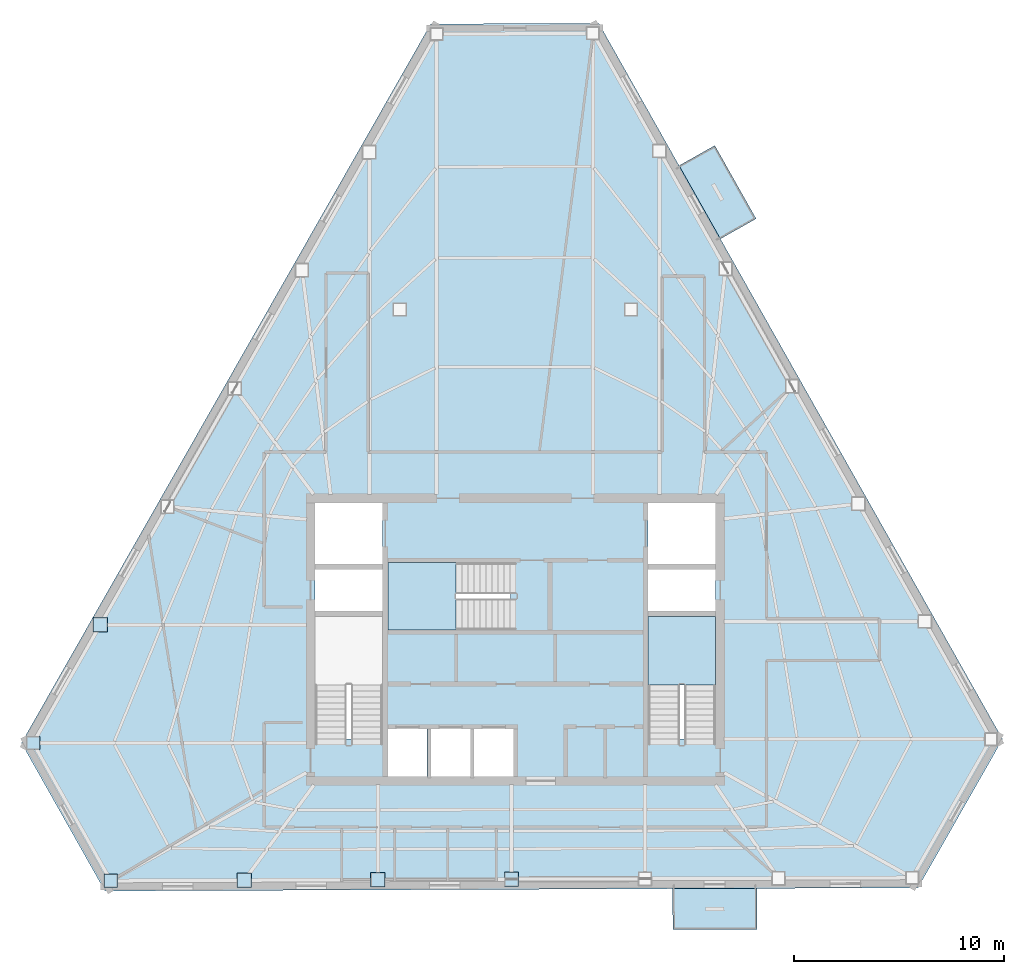
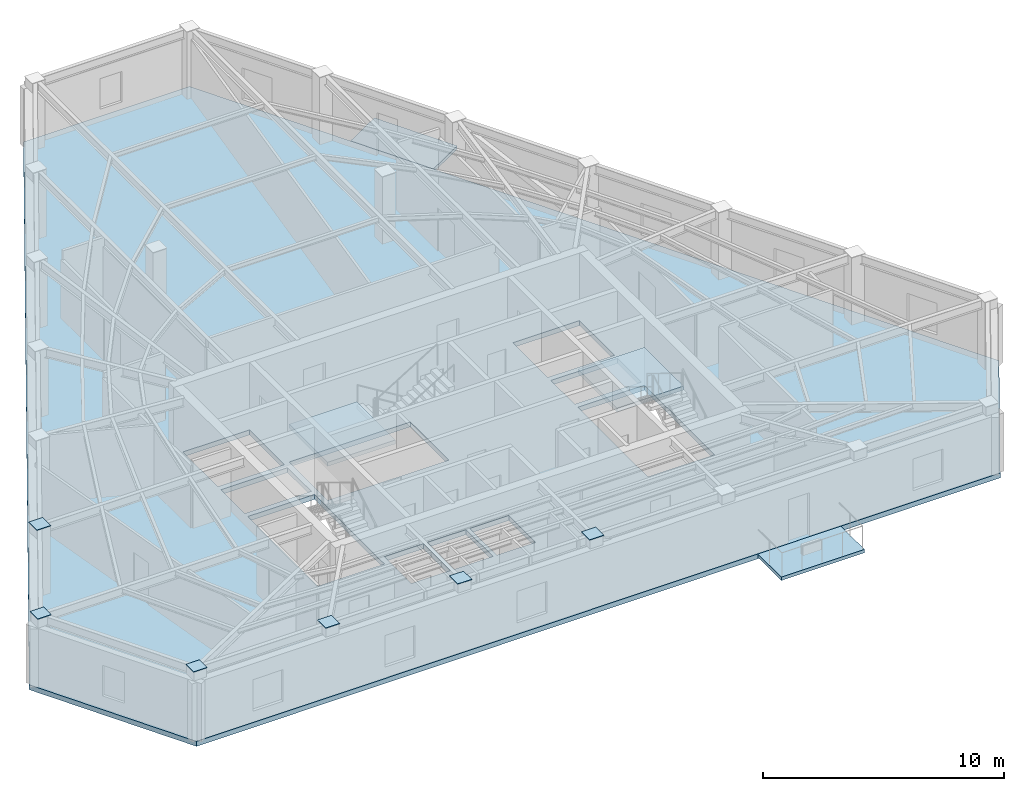
# One storey, part 3 of 10: 6 plates, 5 slabs, 2 elements without a shape of their own.
"""IFC4 building model written with IfcOpenShell, lengths in metres."""

from ifc_helpers import new_model, si_unit, direction, frame, origin, origin_2d, place, context, subcontext, project, spatial, polyline, rectangle, outline, extrude, material, layer, layer_set, type_object, element, aggregate, save


model = new_model("IFC4")

# Units and contexts
model_context = context("Model", 3, precision=1e-05, world=origin(), true_north=direction((0.0, 1.0)))
body_context = subcontext(model_context, "Body", "Model", "MODEL_VIEW")
ifc_project = project(units=[si_unit("LENGTHUNIT", "METRE"), si_unit("AREAUNIT", "SQUARE_METRE"), si_unit("VOLUMEUNIT", "CUBIC_METRE"), si_unit("PLANEANGLEUNIT", "RADIAN"), si_unit("MASSUNIT", "GRAM", prefix="KILO")], contexts=[model_context])

# Site, building, storey
site_placement = place(None, origin())
site = spatial("IfcSite", under=ifc_project, at=site_placement, CompositionType="ELEMENT")
building_placement = place(site_placement, origin())
building = spatial("IfcBuilding", under=site, at=building_placement, Name="Kavelnor Concourse Tower", CompositionType="ELEMENT")
storey_placement = place(building_placement, frame((0.0, 0.0, 230.449951171875)))
storey = spatial("IfcBuildingStorey", under=building, at=storey_placement, Name="L58", CompositionType="ELEMENT", Elevation=230.449951171875)

# Plates
ifc_material_1 = material(Name="Steel Grade 350", Category="steel")
ifc_layer_1 = layer(ifc_material_1, 0.02490234375, Name="Steel Grade 350")
ifc_layer_set_1 = layer_set([ifc_layer_1], Name="Steel Grade 350")
plate_type = type_object("IfcPlateType", Name="PL-SPLICE-FLANGE", PredefinedType="SHEET", material=ifc_layer_set_1)
plate_placement = place(storey_placement, frame((18.263671875, 16.80322265625, 3.427001953125), z_axis=(0.0, 0.0, 1.0), x_axis=(1.0, 0.0, 0.0)))
element("IfcPlate", 1, at=plate_placement, inside=storey, type_object=plate_type, Name="L58 Column Top Cap Plate F0-B5", PredefinedType="SHEET", context=body_context, shape_type="SweptSolid", body=[
    extrude(rectangle(XDim=0.679931640625, YDim=0.679931640625, at=origin_2d()), origin(), (0.0, 0.0, 1.0), 0.02490234375),
])
for number, where, z_axis, x_axis, name in (
    (2, (15.06494140625, 11.18408203125, 3.427001953125), (0.0, 0.0, 1.0), (1.0, 0.0, 0.0), "L58 Column Top Cap Plate F0-B6"),
    (3, (18.76220703125, 4.62939453125, 3.427001953125), (0.0, 0.0, 1.0), (1.0, 0.0, 0.0), "L58 Column Top Cap Plate F1-B0"),
):
    element("IfcPlate", number, at=place(storey_placement, frame(where, z_axis=z_axis, x_axis=x_axis)), inside=storey, type_object=plate_type, Name=name, PredefinedType="SHEET", context=body_context, shape_type="SweptSolid", body=[
        extrude(rectangle(XDim=0.639892578125, YDim=0.639892578125, at=origin_2d()), origin(), (0.0, 0.0, 1.0), 0.02490234375),
    ])
for number, where, z_axis, x_axis, name in (
    (4, (25.113037109375, 4.654296875, 3.427001953125), (0.0, 0.0, 1.0), (1.0, 0.0, 0.0), "L58 Column Top Cap Plate F1-B1"),
    (5, (31.464111328125, 4.67919921875, 3.427001953125), (0.0, 0.0, 1.0), (1.0, 0.0, 0.0), "L58 Column Top Cap Plate F1-B2"),
    (6, (37.814697265625, 4.7041015625, 3.427001953125), (0.0, 0.0, 1.0), (1.0, 0.0, 0.0), "L58 Column Top Cap Plate F1-B3"),
):
    element("IfcPlate", number, at=place(storey_placement, frame(where, z_axis=z_axis, x_axis=x_axis)), inside=storey, type_object=plate_type, Name=name, PredefinedType="SHEET", context=body_context, shape_type="SweptSolid", body=[
        extrude(rectangle(XDim=0.679931640625, YDim=0.679931640625, at=origin_2d()), origin(), (0.0, 0.0, 1.0), 0.02490234375),
    ])

# Slabs
ifc_material_2 = material(Name="Concrete C40/50", Category="concrete")
ifc_layer_2 = layer(ifc_material_2, 0.169921875, Name="Concrete C40/50")
ifc_layer_set_2 = layer_set([ifc_layer_2], Name="Concrete C40/50")
slab_type_1 = type_object("IfcSlabType", Name="SLB-BALCONY-170", PredefinedType="FLOOR", material=ifc_layer_set_2)
slab_1_placement = place(storey_placement, frame((0.0, 0.0, -0.169921875)))
element("IfcSlab", 7, at=slab_1_placement, inside=storey, type_object=slab_type_1, Name="L58 Cantilevered Tree Balcony Slab 1", PredefinedType="FLOOR", context=body_context, shape_type="SweptSolid", body=[
    extrude(outline(polyline([(49.488525390625, 2.319580078125), (45.48876953125, 2.303955078125), (45.48095703125, 4.25390625), (49.48095703125, 4.26953125), (49.488525390625, 2.319580078125)])), origin(), (0.0, 0.0, 1.0), 0.169921875),
])
slab_2_placement = place(storey_placement, frame((0.0, 0.0, -0.169921875)))
element("IfcSlab", 8, at=slab_2_placement, inside=storey, type_object=slab_type_1, Name="L58 Cantilevered Tree Balcony Slab 2", PredefinedType="FLOOR", context=body_context, shape_type="SweptSolid", body=[
    extrude(outline(polyline([(47.4853515625, 39.598876953125), (49.45068359375, 36.11474609375), (47.752197265625, 35.15673828125), (45.787109375, 38.640625), (47.4853515625, 39.598876953125)])), origin(), (0.0, 0.0, 1.0), 0.169921875),
])

# Stair, slab
stair_type = type_object("IfcStairType", Name="STR-CORE-1500", PredefinedType="HALF_TURN_STAIR", material=ifc_material_2)
stair_1_placement = place(storey_placement, origin())
stair_1 = element("IfcStair", 9, at=stair_1_placement, inside=storey, type_object=stair_type, Name="L58 ST2", PredefinedType="HALF_TURN_STAIR")
ifc_layer_3 = layer(ifc_material_2, 0.199951171875, Name="Concrete C40/50")
ifc_layer_set_3 = layer_set([ifc_layer_3], Name="Concrete C40/50")
slab_type_2 = type_object("IfcSlabType", Name="SLB-LANDING-200", PredefinedType="LANDING", material=ifc_layer_set_3)
slab_3_placement = place(storey_placement, frame((0.0, 0.0, 1.72509765625)))
slab_3 = element("IfcSlab", 10, at=slab_3_placement, type_object=slab_type_2, Name="ST2 landing 1", PredefinedType="LANDING", context=body_context, shape_type="SweptSolid", body=[
    extrude(outline(polyline([(47.52001953125, 13.949951171875), (47.52001953125, 17.199951171875), (44.320068359375, 17.199951171875), (44.320068359375, 13.949951171875), (47.52001953125, 13.949951171875)])), origin(), (0.0, 0.0, 1.0), 0.199951171875),
])
aggregate(stair_1, [slab_3])

stair_2_placement = place(storey_placement, origin())
stair_2 = element("IfcStair", 11, at=stair_2_placement, inside=storey, type_object=stair_type, Name="L58 ST3", PredefinedType="HALF_TURN_STAIR")
slab_4_placement = place(storey_placement, frame((0.0, 0.0, 1.72509765625)))
slab_4 = element("IfcSlab", 12, at=slab_4_placement, type_object=slab_type_2, Name="ST3 landing 1", PredefinedType="LANDING", context=body_context, shape_type="SweptSolid", body=[
    extrude(outline(polyline([(35.18994140625, 19.760009765625), (31.93994140625, 19.760009765625), (31.93994140625, 16.56005859375), (35.18994140625, 16.56005859375), (35.18994140625, 19.760009765625)])), origin(), (0.0, 0.0, 1.0), 0.199951171875),
])
aggregate(stair_2, [slab_4])

# Slab
ifc_layer_4 = layer(ifc_material_2, 0.25, Name="Concrete C40/50")
ifc_layer_set_4 = layer_set([ifc_layer_4], Name="Concrete C40/50")
slab_type_3 = type_object("IfcSlabType", Name="SLB-OFFICE-250", PredefinedType="FLOOR", material=ifc_layer_set_4)
slab_5_placement = place(storey_placement, frame((0.0, 0.0, -0.25)))
element("IfcSlab", 13, at=slab_5_placement, inside=storey, type_object=slab_type_3, Name="L58 Composite Structural Floor Slab", PredefinedType="FLOOR", context=body_context, shape_type="SweptSolid", body=[
    extrude(outline(polyline([(41.96923828125, 45.4091796875), (33.976806640625, 45.377685546875), (14.51318359375, 11.185302734375), (18.482421875, 4.1484375), (57.147216796875, 4.299560546875), (61.170654296875, 11.36767578125), (41.96923828125, 45.4091796875)]), holes=[polyline([(28.47998046875, 11.3798828125), (31.679931640625, 11.3798828125), (31.679931640625, 17.199951171875), (28.47998046875, 17.199951171875), (28.47998046875, 11.3798828125)]), polyline([(44.320068359375, 11.3798828125), (47.52001953125, 11.3798828125), (47.52001953125, 17.199951171875), (44.320068359375, 17.199951171875), (44.320068359375, 11.3798828125)]), polyline([(31.93994140625, 16.56005859375), (37.760009765625, 16.56005859375), (37.760009765625, 19.760009765625), (31.93994140625, 19.760009765625), (31.93994140625, 16.56005859375)]), polyline([(28.47998046875, 19.699951171875), (31.679931640625, 19.699951171875), (31.679931640625, 22.60009765625), (28.47998046875, 22.60009765625), (28.47998046875, 19.699951171875)]), polyline([(44.320068359375, 19.699951171875), (47.52001953125, 19.699951171875), (47.52001953125, 22.60009765625), (44.320068359375, 22.60009765625), (44.320068359375, 19.699951171875)]), polyline([(31.93994140625, 9.60009765625), (33.81005859375, 9.60009765625), (33.81005859375, 11.840087890625), (31.93994140625, 11.840087890625), (31.93994140625, 9.60009765625)]), polyline([(33.989990234375, 9.60009765625), (35.860107421875, 9.60009765625), (35.860107421875, 11.840087890625), (33.989990234375, 11.840087890625), (33.989990234375, 9.60009765625)]), polyline([(36.0400390625, 9.60009765625), (37.909912109375, 9.60009765625), (37.909912109375, 11.840087890625), (36.0400390625, 11.840087890625), (36.0400390625, 9.60009765625)]), polyline([(28.47998046875, 17.4599609375), (31.679931640625, 17.4599609375), (31.679931640625, 19.43994140625), (28.47998046875, 19.43994140625), (28.47998046875, 17.4599609375)]), polyline([(44.320068359375, 17.4599609375), (47.52001953125, 17.4599609375), (47.52001953125, 19.43994140625), (44.320068359375, 19.43994140625), (44.320068359375, 17.4599609375)])]), origin(), (0.0, 0.0, 1.0), 0.25),
])

save(model, "model.ifc")
